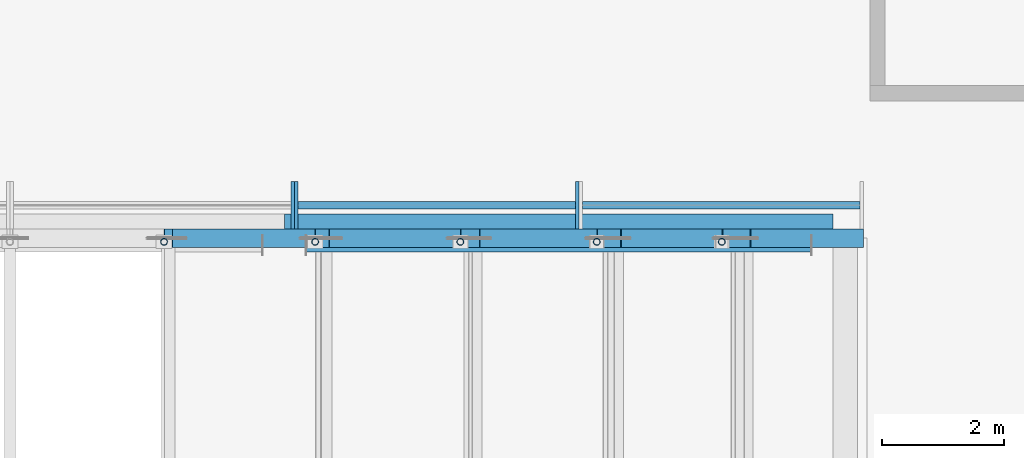
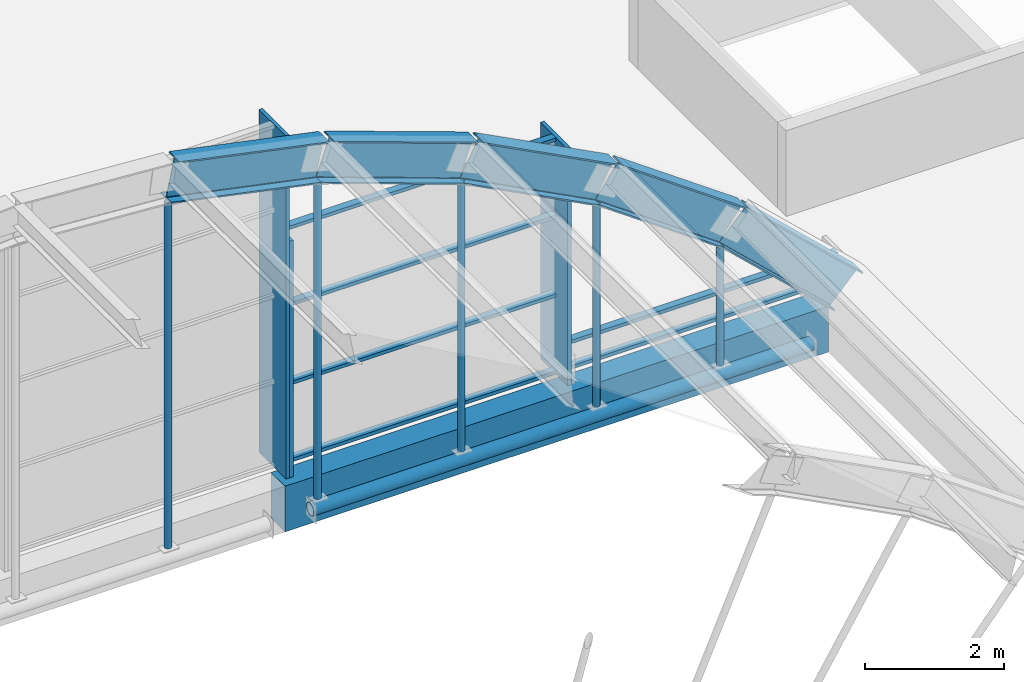
# One storey, part 17 of 43: 15 members, 6 beams, 3 elements without a shape of their own.
"""IFC4 building model written with IfcOpenShell, lengths in metres."""

from ifc_helpers import new_model, si_unit, direction, frame, origin, origin_2d, place, context, subcontext, project, spatial, rectangle, hollow_circle, i_section, extrude, material, layer, layer_set, material_profile, profile_set, type_object, element, aggregate, save


model = new_model("IFC4")

# Units and contexts
model_context = context("Model", 3, precision=1e-05, world=origin(), true_north=direction((0.0, 1.0)))
body_context = subcontext(model_context, "Body", "Model", "MODEL_VIEW")
ifc_project = project(units=[si_unit("LENGTHUNIT", "METRE"), si_unit("AREAUNIT", "SQUARE_METRE"), si_unit("VOLUMEUNIT", "CUBIC_METRE"), si_unit("PLANEANGLEUNIT", "RADIAN"), si_unit("MASSUNIT", "GRAM", prefix="KILO")], contexts=[model_context])

# Site, building, storey
site_placement = place(None, origin())
site = spatial("IfcSite", under=ifc_project, at=site_placement, CompositionType="ELEMENT")
building_placement = place(site_placement, origin())
building = spatial("IfcBuilding", under=site, at=building_placement, Name="Guidao Yard Department Store", CompositionType="ELEMENT")
storey_placement = place(building_placement, frame((0.0, 0.0, 28.5)))
storey = spatial("IfcBuildingStorey", under=building, at=storey_placement, Name="L06", CompositionType="ELEMENT", Elevation=28.5)

# Members
ifc_material_1 = material(Name="Steel Q355B", Category="steel")
ifc_material_profile_1 = material_profile(ifc_material_1, hollow_circle(Radius=0.056884765625, WallThickness=0.006103515625, at=origin_2d()), Name="CHS 114x6")
ifc_profile_set_1 = profile_set([ifc_material_profile_1], Name="Steel Q355B")
member_type_1 = type_object("IfcMemberType", Name="CHS 114x6", PredefinedType="BRACE", material=ifc_profile_set_1)
member_1_placement = place(storey_placement, frame((34.02734375, 89.93994140625, -0.33447265625), z_axis=(0.0, 0.0, 1.0), x_axis=(1.0, 0.0, 0.0)))
element("IfcMember", 1, at=member_1_placement, inside=storey, type_object=member_type_1, Name="Roof web strut A05-07", PredefinedType="BRACE", context=body_context, shape_type="SweptSolid", body=[
    extrude(hollow_circle(Radius=0.056884765625, WallThickness=0.006103515625, at=origin_2d()), origin(), (0.0, 0.0, 1.0), 6.064697265625),
])
member_2_placement = place(storey_placement, frame((36.50537109375, 89.93994140625, -0.33447265625), z_axis=(0.0, 0.0, 1.0), x_axis=(1.0, 0.0, 0.0)))
element("IfcMember", 2, at=member_2_placement, inside=storey, type_object=member_type_1, Name="Roof web strut A05-08", PredefinedType="BRACE", context=body_context, shape_type="SweptSolid", body=[
    extrude(hollow_circle(Radius=0.056884765625, WallThickness=0.006103515625, at=origin_2d()), origin(), (0.0, 0.0, 1.0), 5.548583984375),
])
member_3_placement = place(storey_placement, frame((38.88623046875, 89.93994140625, -0.33447265625), z_axis=(0.0, 0.0, 1.0), x_axis=(1.0, 0.0, 0.0)))
element("IfcMember", 3, at=member_3_placement, inside=storey, type_object=member_type_1, Name="Roof web strut A05-09", PredefinedType="BRACE", context=body_context, shape_type="SweptSolid", body=[
    extrude(hollow_circle(Radius=0.056884765625, WallThickness=0.006103515625, at=origin_2d()), origin(), (0.0, 0.0, 1.0), 4.69970703125),
])
member_4_placement = place(storey_placement, frame((41.123291015625, 89.93994140625, -0.33447265625), z_axis=(0.0, 0.0, 1.0), x_axis=(1.0, 0.0, 0.0)))
element("IfcMember", 4, at=member_4_placement, inside=storey, type_object=member_type_1, Name="Roof web strut A05-10", PredefinedType="BRACE", context=body_context, shape_type="SweptSolid", body=[
    extrude(hollow_circle(Radius=0.056884765625, WallThickness=0.006103515625, at=origin_2d()), origin(), (0.0, 0.0, 1.0), 3.534423828125),
])
member_5_placement = place(storey_placement, frame((43.173583984375, 89.93994140625, -0.33447265625), z_axis=(0.0, 0.0, 1.0), x_axis=(1.0, 0.0, 0.0)))
element("IfcMember", 5, at=member_5_placement, inside=storey, type_object=member_type_1, Name="Roof web strut A05-11", PredefinedType="BRACE", context=body_context, shape_type="SweptSolid", body=[
    extrude(hollow_circle(Radius=0.056884765625, WallThickness=0.006103515625, at=origin_2d()), origin(), (0.0, 0.0, 1.0), 2.075439453125),
])
ifc_material_2 = material(Name="Steel Q355B", Category="steel")
ifc_material_profile_2 = material_profile(ifc_material_2, hollow_circle(Radius=0.109619140625, WallThickness=0.010009765625, at=origin_2d()), Name="CHS 219x10")
ifc_profile_set_2 = profile_set([ifc_material_profile_2], Name="Steel Q355B")
member_type_2 = type_object("IfcMemberType", Name="CHS 219x10", PredefinedType="BRACE", material=ifc_profile_set_2)
member_6_placement = place(storey_placement, frame((36.35009765625, 89.8798828125, -0.449951171875), z_axis=(1.0, 0.0, 0.0), x_axis=(0.0, 1.0, 0.0)))
element("IfcMember", 6, at=member_6_placement, inside=storey, type_object=member_type_2, Name="Roof tie rod A05-3", PredefinedType="BRACE", context=body_context, shape_type="SweptSolid", body=[
    extrude(hollow_circle(Radius=0.109619140625, WallThickness=0.010009765625, at=origin_2d()), origin(), (0.0, 0.0, 1.0), 8.2998046875),
])

# Beams
ifc_material_3 = material(Name="Steel Q355B", Category="steel")
ifc_material_profile_3 = material_profile(ifc_material_3, i_section(OverallWidth=0.300048828125, OverallDepth=0.699951171875, WebThickness=0.012939453125, FlangeThickness=0.02392578125, FilletRadius=0.01806640625, at=origin_2d()), Name="HN 700x300x13x24")
ifc_profile_set_3 = profile_set([ifc_material_profile_3], Name="Steel Q355B")
beam_type_1 = type_object("IfcBeamType", Name="HN 700x300x13x24", PredefinedType="BEAM", material=ifc_profile_set_3)
beam_1_placement = place(storey_placement, frame((34.0986328125, 90.0, 6.072998046875), z_axis=(0.978991652307, 0.0, -0.203900330343), x_axis=(0.0, 1.0, 0.0)))
element("IfcBeam", 7, at=beam_1_placement, inside=storey, type_object=beam_type_1, Name="Roof rib A05-08", PredefinedType="BEAM", context=body_context, shape_type="SweptSolid", body=[
    extrude(i_section(OverallWidth=0.300048828125, OverallDepth=0.699951171875, WebThickness=0.012939453125, FlangeThickness=0.02392578125, FilletRadius=0.01806640625, at=origin_2d()), origin(), (0.0, 0.0, 1.0), 2.53125),
])
beam_2_placement = place(storey_placement, frame((36.622802734375, 90.0, 5.5439453125), z_axis=(0.94189041097, 0.0, -0.335920308588), x_axis=(0.0, 1.0, 0.0)))
element("IfcBeam", 8, at=beam_2_placement, inside=storey, type_object=beam_type_1, Name="Roof rib A05-09", PredefinedType="BEAM", context=body_context, shape_type="SweptSolid", body=[
    extrude(i_section(OverallWidth=0.300048828125, OverallDepth=0.699951171875, WebThickness=0.012939453125, FlangeThickness=0.02392578125, FilletRadius=0.01806640625, at=origin_2d()), origin(), (0.0, 0.0, 1.0), 2.52783203125),
])
beam_3_placement = place(storey_placement, frame((39.0478515625, 90.0, 4.675537109375), z_axis=(0.886910779875, 0.0, -0.461940763023), x_axis=(0.0, 1.0, 0.0)))
element("IfcBeam", 9, at=beam_3_placement, inside=storey, type_object=beam_type_1, Name="Roof rib A05-10", PredefinedType="BEAM", context=body_context, shape_type="SweptSolid", body=[
    extrude(i_section(OverallWidth=0.300048828125, OverallDepth=0.699951171875, WebThickness=0.012939453125, FlangeThickness=0.02392578125, FilletRadius=0.01806640625, at=origin_2d()), origin(), (0.0, 0.0, 1.0), 2.5224609375),
])
beam_4_placement = place(storey_placement, frame((41.326416015625, 90.0, 3.485107421875), z_axis=(0.814735308412, 0.0, -0.579833059791), x_axis=(0.0, 1.0, 0.0)))
element("IfcBeam", 10, at=beam_4_placement, inside=storey, type_object=beam_type_1, Name="Roof rib A05-11", PredefinedType="BEAM", context=body_context, shape_type="SweptSolid", body=[
    extrude(i_section(OverallWidth=0.300048828125, OverallDepth=0.699951171875, WebThickness=0.012939453125, FlangeThickness=0.02392578125, FilletRadius=0.01806640625, at=origin_2d()), origin(), (0.0, 0.0, 1.0), 2.51611328125),
])
beam_5_placement = place(storey_placement, frame((43.4140625, 90.0, 1.995361328125), z_axis=(0.726628290109, 0.0, -0.687030805724), x_axis=(0.0, 1.0, 0.0)))
element("IfcBeam", 11, at=beam_5_placement, inside=storey, type_object=beam_type_1, Name="Roof rib A05-12", PredefinedType="BEAM", context=body_context, shape_type="SweptSolid", body=[
    extrude(i_section(OverallWidth=0.300048828125, OverallDepth=0.699951171875, WebThickness=0.012939453125, FlangeThickness=0.02392578125, FilletRadius=0.01806640625, at=origin_2d()), origin(), (0.0, 0.0, 1.0), 2.533935546875),
])

# Curtain wall, member
ifc_material_4 = material(Name="Aluminium and glass", Category="aluminium")
ifc_layer = layer(ifc_material_4, 0.159912109375)
ifc_layer_set = layer_set([ifc_layer], Name="Gable glazing CW7 1500 module")
curtain_wall_type = type_object("IfcCurtainWallType", Name="Gable glazing CW7 1500 module", PredefinedType="NOTDEFINED", material=ifc_layer_set)
curtain_wall_1_placement = place(storey_placement, origin())
curtain_wall_1 = element("IfcCurtainWall", 12, at=curtain_wall_1_placement, inside=storey, type_object=curtain_wall_type, Name="Gable glazing AN4", PredefinedType="NOTDEFINED")
ifc_material_5 = material(Name="Aluminium 6063-T5", Category="aluminium")
ifc_material_profile_4 = material_profile(ifc_material_5, rectangle(XDim=0.06005859375, YDim=0.780029296875, at=origin_2d()), Name="Mullion M3 60 x 780 aluminium pressure plate")
ifc_profile_set_4 = profile_set([ifc_material_profile_4], Name="Aluminium 6063-T5")
member_type_3 = type_object("IfcMemberType", Name="Mullion M3 60 x 780 aluminium pressure plate", PredefinedType="MULLION", material=ifc_profile_set_4)
member_7_placement = place(storey_placement, frame((36.13525390625, 90.5400390625, 0.0), z_axis=(0.0, 0.0, 1.0), x_axis=(1.0, 0.0, 0.0)))
member_7 = element("IfcMember", 13, at=member_7_placement, type_object=member_type_3, Name="CW-TAN4 mullion 2", PredefinedType="MULLION", context=body_context, shape_type="SweptSolid", body=[
    extrude(rectangle(XDim=0.06005859375, YDim=0.780029296875, at=origin_2d()), origin(), (0.0, 0.0, 1.0), 6.0),
])
aggregate(curtain_wall_1, [member_7])

# Curtain wall, members
curtain_wall_2_placement = place(storey_placement, origin())
curtain_wall_2 = element("IfcCurtainWall", 14, at=curtain_wall_2_placement, inside=storey, type_object=curtain_wall_type, Name="Gable glazing AN5", PredefinedType="NOTDEFINED")
member_8_placement = place(storey_placement, frame((36.1953125, 90.5400390625, 0.0), z_axis=(0.0, 0.0, 1.0), x_axis=(1.0, 0.0, 0.0)))
member_8 = element("IfcMember", 15, at=member_8_placement, type_object=member_type_3, Name="CW-TAN5 mullion 1", PredefinedType="MULLION", context=body_context, shape_type="SweptSolid", body=[
    extrude(rectangle(XDim=0.06005859375, YDim=0.780029296875, at=origin_2d()), origin(), (0.0, 0.0, 1.0), 4.1416015625),
])
member_9_placement = place(storey_placement, frame((40.800537109375, 90.5400390625, 0.0), z_axis=(0.0, 0.0, 1.0), x_axis=(1.0, 0.0, 0.0)))
member_9 = element("IfcMember", 16, at=member_9_placement, type_object=member_type_3, Name="CW-TAN5 mullion 2", PredefinedType="MULLION", context=body_context, shape_type="SweptSolid", body=[
    extrude(rectangle(XDim=0.06005859375, YDim=0.780029296875, at=origin_2d()), origin(), (0.0, 0.0, 1.0), 4.1416015625),
])
ifc_material_6 = material(Name="Aluminium 6063-T5", Category="aluminium")
ifc_material_profile_5 = material_profile(ifc_material_6, rectangle(XDim=0.1201171875, YDim=0.06005859375, at=origin_2d()), Name="Transom T1 60 x 120 aluminium pressure plate")
ifc_profile_set_5 = profile_set([ifc_material_profile_5], Name="Aluminium 6063-T5")
member_type_4 = type_object("IfcMemberType", Name="Transom T1 60 x 120 aluminium pressure plate", PredefinedType="USERDEFINED", material=ifc_profile_set_5)
member_10_placement = place(storey_placement, frame((36.225341796875, 90.5400390625, 0.030029296875), z_axis=(1.0, 0.0, 0.0), x_axis=(0.0, 1.0, 0.0)))
member_10 = element("IfcMember", 17, at=member_10_placement, type_object=member_type_4, Name="CW-TAN5 transom 1.1", ObjectType="TRANSOM", PredefinedType="USERDEFINED", context=body_context, shape_type="SweptSolid", body=[
    extrude(rectangle(XDim=0.1201171875, YDim=0.06005859375, at=origin_2d()), origin(), (0.0, 0.0, 1.0), 4.545166015625),
])
member_11_placement = place(storey_placement, frame((36.225341796875, 90.5400390625, 1.380615234375), z_axis=(1.0, 0.0, 0.0), x_axis=(0.0, 1.0, 0.0)))
member_11 = element("IfcMember", 18, at=member_11_placement, type_object=member_type_4, Name="CW-TAN5 transom 1.2", ObjectType="TRANSOM", PredefinedType="USERDEFINED", context=body_context, shape_type="SweptSolid", body=[
    extrude(rectangle(XDim=0.1201171875, YDim=0.06005859375, at=origin_2d()), origin(), (0.0, 0.0, 1.0), 4.545166015625),
])
member_12_placement = place(storey_placement, frame((36.225341796875, 90.5400390625, 2.760986328125), z_axis=(1.0, 0.0, 0.0), x_axis=(0.0, 1.0, 0.0)))
member_12 = element("IfcMember", 19, at=member_12_placement, type_object=member_type_4, Name="CW-TAN5 transom 1.3", ObjectType="TRANSOM", PredefinedType="USERDEFINED", context=body_context, shape_type="SweptSolid", body=[
    extrude(rectangle(XDim=0.1201171875, YDim=0.06005859375, at=origin_2d()), origin(), (0.0, 0.0, 1.0), 4.545166015625),
])
member_13_placement = place(storey_placement, frame((36.225341796875, 90.5400390625, 4.111572265625), z_axis=(1.0, 0.0, 0.0), x_axis=(0.0, 1.0, 0.0)))
member_13 = element("IfcMember", 20, at=member_13_placement, type_object=member_type_4, Name="CW-TAN5 transom 1.4", ObjectType="TRANSOM", PredefinedType="USERDEFINED", context=body_context, shape_type="SweptSolid", body=[
    extrude(rectangle(XDim=0.1201171875, YDim=0.06005859375, at=origin_2d()), origin(), (0.0, 0.0, 1.0), 4.545166015625),
])
aggregate(curtain_wall_2, [member_8, member_9, member_10, member_11, member_12, member_13])

curtain_wall_3_placement = place(storey_placement, origin())
curtain_wall_3 = element("IfcCurtainWall", 21, at=curtain_wall_3_placement, inside=storey, type_object=curtain_wall_type, Name="Gable glazing AN6", PredefinedType="NOTDEFINED")
member_14_placement = place(storey_placement, frame((40.890625, 90.5400390625, 0.030029296875), z_axis=(1.0, 0.0, 0.0), x_axis=(0.0, 1.0, 0.0)))
member_14 = element("IfcMember", 22, at=member_14_placement, type_object=member_type_4, Name="CW-TAN6 transom 1.1", ObjectType="TRANSOM", PredefinedType="USERDEFINED", context=body_context, shape_type="SweptSolid", body=[
    extrude(rectangle(XDim=0.1201171875, YDim=0.06005859375, at=origin_2d()), origin(), (0.0, 0.0, 1.0), 4.54541015625),
])
member_15_placement = place(storey_placement, frame((40.890625, 90.5400390625, 0.478759765625), z_axis=(1.0, 0.0, 0.0), x_axis=(0.0, 1.0, 0.0)))
member_15 = element("IfcMember", 23, at=member_15_placement, type_object=member_type_4, Name="CW-TAN6 transom 1.2", ObjectType="TRANSOM", PredefinedType="USERDEFINED", context=body_context, shape_type="SweptSolid", body=[
    extrude(rectangle(XDim=0.1201171875, YDim=0.06005859375, at=origin_2d()), origin(), (0.0, 0.0, 1.0), 4.54541015625),
])
aggregate(curtain_wall_3, [member_14, member_15])

# Beam
ifc_material_7 = material(Name="Concrete C40", Category="concrete")
ifc_material_profile_6 = material_profile(ifc_material_7, rectangle(XDim=0.39990234375, YDim=0.800048828125, at=origin_2d()), Name="Vault bearing beam 400 x 800 C40")
ifc_profile_set_6 = profile_set([ifc_material_profile_6], Name="Concrete C40")
beam_type_2 = type_object("IfcBeamType", Name="Vault bearing beam 400 x 800 C40", PredefinedType="BEAM", material=ifc_profile_set_6)
beam_6_placement = place(storey_placement, frame((36.0, 90.199951171875, -0.39990234375), z_axis=(1.0, 0.0, 0.0), x_axis=(0.0, 1.0, 0.0)))
element("IfcBeam", 24, at=beam_6_placement, inside=storey, type_object=beam_type_2, Name="Beam VB14", PredefinedType="BEAM", context=body_context, shape_type="SweptSolid", body=[
    extrude(rectangle(XDim=0.39990234375, YDim=0.800048828125, at=origin_2d()), origin(), (0.0, 0.0, 1.0), 9.0),
])

save(model, "model.ifc")
